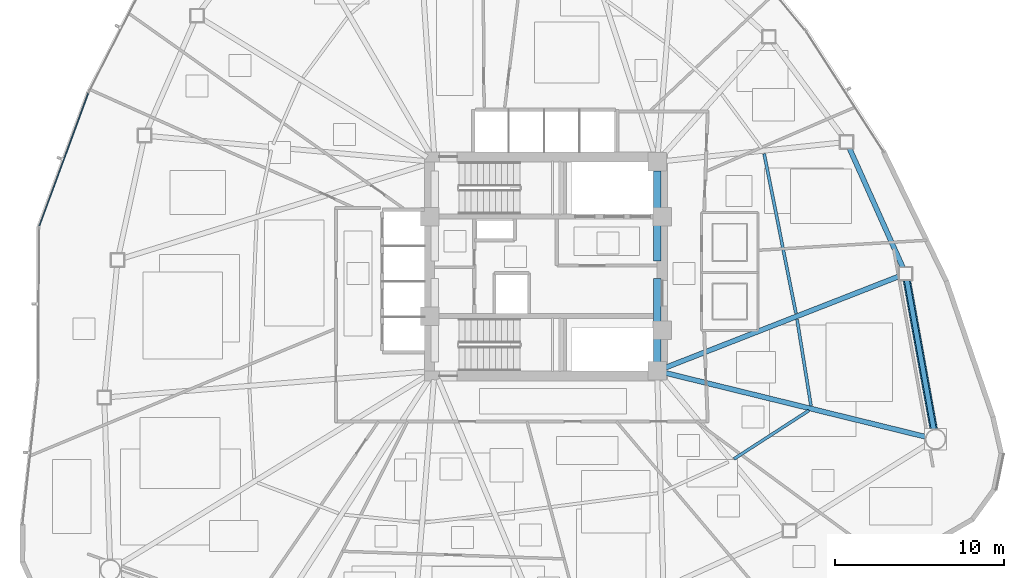
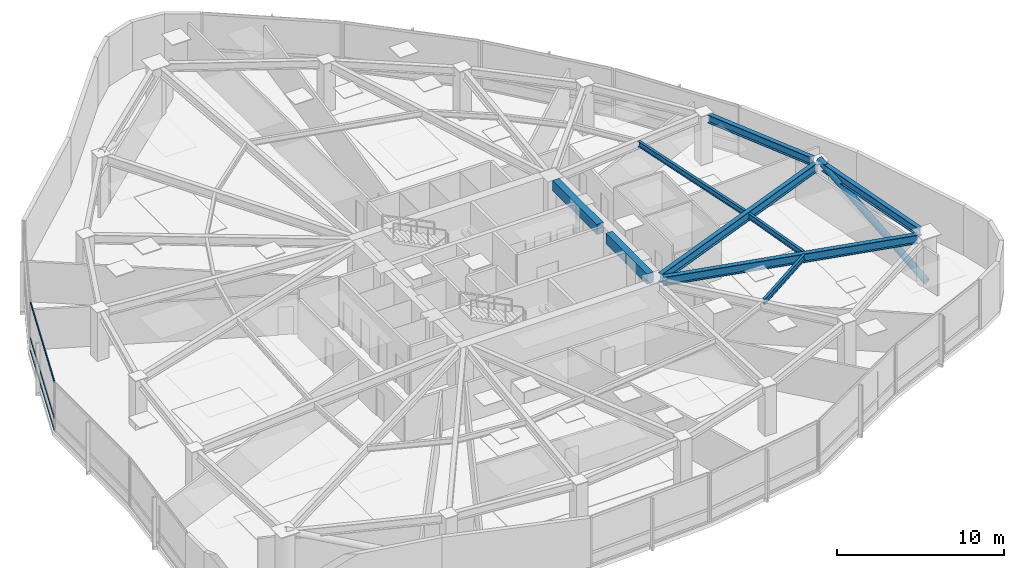
# One storey, part 7 of 18: 9 beams, 4 members, 1 element without a shape of its own.
"""IFC4 building model written with IfcOpenShell, lengths in metres."""

from ifc_helpers import new_model, si_unit, direction, frame, origin, origin_2d, place, context, subcontext, project, spatial, rectangle, hollow_rectangle, hollow_circle, i_section, extrude, source, transform, mapped, material, layer, layer_set, material_profile, profile_set, type_object, type_shapes, element, aggregate, save


model = new_model("IFC4")

# Units and contexts
model_context = context("Model", 3, precision=1e-05, world=origin(), true_north=direction((0.0, 1.0)))
body_context = subcontext(model_context, "Body", "Model", "MODEL_VIEW")
ifc_project = project(units=[si_unit("LENGTHUNIT", "METRE"), si_unit("AREAUNIT", "SQUARE_METRE"), si_unit("VOLUMEUNIT", "CUBIC_METRE"), si_unit("PLANEANGLEUNIT", "RADIAN"), si_unit("MASSUNIT", "GRAM", prefix="KILO")], contexts=[model_context])

# Site, building, storey
site_placement = place(None, origin())
site = spatial("IfcSite", under=ifc_project, at=site_placement, CompositionType="ELEMENT")
building_placement = place(site_placement, origin())
building = spatial("IfcBuilding", under=site, at=building_placement, Name="Tavelor Broadcast Tower", CompositionType="ELEMENT")
storey_placement = place(building_placement, frame((0.0, 0.0, 51.0)))
storey = spatial("IfcBuildingStorey", under=building, at=storey_placement, Name="L11", CompositionType="ELEMENT", Elevation=51.0)

# Beams
ifc_material_1 = material(Name="Concrete C40/50", Category="concrete")
ifc_material_profile_1 = material_profile(ifc_material_1, rectangle(XDim=0.449951171875, YDim=0.75, at=origin_2d()), Name="RC 450x750")
ifc_profile_set_1 = profile_set([ifc_material_profile_1], Name="Concrete C40/50")
beam_type_1 = type_object("IfcBeamType", Name="Basement Core Trim Beam 450x750", PredefinedType="BEAM", material=ifc_profile_set_1)
beam_1_placement = place(storey_placement, frame((56.60009765625, 45.327880859375, 3.22509765625), z_axis=(0.0, 1.0, 0.0), x_axis=(-1.0, 0.0, 0.0)))
element("IfcBeam", 1, at=beam_1_placement, inside=storey, type_object=beam_type_1, Name="L11 Core East-N Tie Girder", PredefinedType="BEAM", context=body_context, shape_type="SweptSolid", body=[
    extrude(rectangle(XDim=0.449951171875, YDim=0.75, at=origin_2d()), origin(), (0.0, 0.0, 1.0), 5.34423828125),
])
beam_2_placement = place(storey_placement, frame((56.60009765625, 39.327880859375, 3.22509765625), z_axis=(0.0, 1.0, 0.0), x_axis=(-1.0, 0.0, 0.0)))
element("IfcBeam", 2, at=beam_2_placement, inside=storey, type_object=beam_type_1, Name="L11 Core East-S Tie Girder", PredefinedType="BEAM", context=body_context, shape_type="SweptSolid", body=[
    extrude(rectangle(XDim=0.449951171875, YDim=0.75, at=origin_2d()), origin(), (0.0, 0.0, 1.0), 4.944091796875),
])
ifc_material_2 = material(Name="Steel S355", Category="steel")
ifc_material_profile_2 = material_profile(ifc_material_2, i_section(OverallWidth=0.179931640625, OverallDepth=0.39990234375, WebThickness=0.008544921875, FlangeThickness=0.013427734375, at=origin_2d()), Name="IPE 400")
ifc_profile_set_2 = profile_set([ifc_material_profile_2], Name="Steel S355")
beam_type_2 = type_object("IfcBeamType", Name="Composite Floor Joist T1 IPE 400", PredefinedType="JOIST", material=ifc_profile_set_2)
beam_3_placement = place(storey_placement, frame((61.1552734375, 33.573486328125, 3.39990234375), z_axis=(0.839582514508, 0.543232179949, 0.0), x_axis=(-0.543232179949, 0.839582514508, 0.0)))
element("IfcBeam", 3, at=beam_3_placement, inside=storey, type_object=beam_type_2, Name="L11 Secondary Composite Floor Joist 12", PredefinedType="JOIST", context=body_context, shape_type="SweptSolid", body=[
    extrude(i_section(OverallWidth=0.179931640625, OverallDepth=0.39990234375, WebThickness=0.008544921875, FlangeThickness=0.013427734375, at=origin_2d()), origin(), (0.0, 0.0, 1.0), 5.300537109375),
])
beam_4_placement = place(storey_placement, frame((65.728515625, 36.72998046875, 3.39990234375), z_axis=(-0.159264963379, 0.987235874267, 0.0), x_axis=(-0.987235874267, -0.159264963379, 0.0)))
element("IfcBeam", 4, at=beam_4_placement, inside=storey, type_object=beam_type_2, Name="L11 Secondary Composite Floor Joist 13", PredefinedType="JOIST", context=body_context, shape_type="SweptSolid", body=[
    extrude(i_section(OverallWidth=0.179931640625, OverallDepth=0.39990234375, WebThickness=0.008544921875, FlangeThickness=0.013427734375, at=origin_2d()), origin(), (0.0, 0.0, 1.0), 5.19189453125),
])
beam_5_placement = place(storey_placement, frame((64.83740234375, 42.2119140625, 3.39990234375), z_axis=(-0.195615567929, 0.980680656271, 0.0), x_axis=(-0.980680656271, -0.195615567929, 0.0)))
element("IfcBeam", 5, at=beam_5_placement, inside=storey, type_object=beam_type_2, Name="L11 Secondary Composite Floor Joist 14", PredefinedType="JOIST", context=body_context, shape_type="SweptSolid", body=[
    extrude(i_section(OverallWidth=0.179931640625, OverallDepth=0.39990234375, WebThickness=0.008544921875, FlangeThickness=0.013427734375, at=origin_2d()), origin(), (0.0, 0.0, 1.0), 9.661376953125),
])
ifc_material_profile_3 = material_profile(ifc_material_2, i_section(OverallWidth=0.300048828125, OverallDepth=0.60009765625, WebThickness=0.015380859375, FlangeThickness=0.030029296875, at=origin_2d()), Name="HEB 600")
ifc_profile_set_3 = profile_set([ifc_material_profile_3], Name="Steel S355")
beam_type_3 = type_object("IfcBeamType", Name="Perimeter Spandrel Beam T1 HEB 600", PredefinedType="SPANDREL", material=ifc_profile_set_3)
beam_6_placement = place(storey_placement, frame((73.013916015625, 35.31982421875, 3.300048828125), z_axis=(-0.177745578839, 0.984076475282, 0.0), x_axis=(-0.984076475282, -0.177745578839, 0.0)))
element("IfcBeam", 6, at=beam_6_placement, inside=storey, type_object=beam_type_3, Name="L11 Framed-Tube Ring Spandrel 13", PredefinedType="SPANDREL", context=body_context, shape_type="SweptSolid", body=[
    extrude(i_section(OverallWidth=0.300048828125, OverallDepth=0.60009765625, WebThickness=0.015380859375, FlangeThickness=0.030029296875, at=origin_2d()), origin(), (0.0, 0.0, 1.0), 9.010498046875),
])
beam_7_placement = place(storey_placement, frame((71.18701171875, 44.9150390625, 3.300048828125), z_axis=(-0.40892197507, 0.912569349861, 0.0), x_axis=(-0.912569349861, -0.40892197507, 0.0)))
element("IfcBeam", 7, at=beam_7_placement, inside=storey, type_object=beam_type_3, Name="L11 Framed-Tube Ring Spandrel 14", PredefinedType="SPANDREL", context=body_context, shape_type="SweptSolid", body=[
    extrude(i_section(OverallWidth=0.300048828125, OverallDepth=0.60009765625, WebThickness=0.015380859375, FlangeThickness=0.030029296875, at=origin_2d()), origin(), (0.0, 0.0, 1.0), 7.799072265625),
])

# Member
ifc_material_profile_4 = material_profile(ifc_material_2, hollow_circle(Radius=0.228515625, WallThickness=0.02001953125, at=origin_2d()), Name="CHS 457x20")
ifc_profile_set_4 = profile_set([ifc_material_profile_4], Name="Steel S355")
member_type_1 = type_object("IfcMemberType", Name="Perimeter Tube Brace T1 CHS 457x20", PredefinedType="BRACE", material=ifc_profile_set_4)
member_1_placement = place(storey_placement, frame((73.117919921875, 34.743896484375, 0.0), z_axis=(-0.167205980675, 0.925685078259, 0.339336552578), x_axis=(-0.984075144607, -0.177752945874, 0.0)))
element("IfcMember", 8, at=member_1_placement, inside=storey, type_object=member_type_1, Name="L11 Corner Tube Diagonal Brace 3", PredefinedType="BRACE", context=body_context, shape_type="SweptSolid", body=[
    extrude(hollow_circle(Radius=0.228515625, WallThickness=0.02001953125, at=origin_2d()), origin(), (0.0, 0.0, 1.0), 10.609130859375),
])

# Beams
ifc_material_profile_5 = material_profile(ifc_material_2, i_section(OverallWidth=0.300048828125, OverallDepth=0.64990234375, WebThickness=0.01611328125, FlangeThickness=0.031005859375, at=origin_2d()), Name="HEB 650")
ifc_profile_set_5 = profile_set([ifc_material_profile_5], Name="Steel S355")
beam_type_4 = type_object("IfcBeamType", Name="Radial Floor Girder T1 HEB 650", PredefinedType="BEAM", material=ifc_profile_set_5)
beam_8_placement = place(storey_placement, frame((57.11279296875, 38.674072265625, 3.27490234375), z_axis=(0.971150402203, -0.23846780978, 0.0), x_axis=(0.23846780978, 0.971150402203, 0.0)))
element("IfcBeam", 9, at=beam_8_placement, inside=storey, type_object=beam_type_4, Name="L11 Radial Primary Floor Girder 13", PredefinedType="BEAM", context=body_context, shape_type="SweptSolid", body=[
    extrude(i_section(OverallWidth=0.300048828125, OverallDepth=0.64990234375, WebThickness=0.01611328125, FlangeThickness=0.031005859375, at=origin_2d()), origin(), (0.0, 0.0, 1.0), 15.895263671875),
])
beam_9_placement = place(storey_placement, frame((57.091796875, 38.9921875, 3.27490234375), z_axis=(0.931344390249, 0.364139570429, 0.0), x_axis=(-0.364139570429, 0.931344390249, 0.0)))
element("IfcBeam", 10, at=beam_9_placement, inside=storey, type_object=beam_type_4, Name="L11 Radial Primary Floor Girder 14", PredefinedType="BEAM", context=body_context, shape_type="SweptSolid", body=[
    extrude(i_section(OverallWidth=0.300048828125, OverallDepth=0.64990234375, WebThickness=0.01611328125, FlangeThickness=0.031005859375, at=origin_2d()), origin(), (0.0, 0.0, 1.0), 14.9189453125),
])

# Curtain wall, members
ifc_material_3 = material(Name="Architectural Anodized Aluminium", Category="aluminium")
ifc_layer = layer(ifc_material_3, 0.179931640625)
ifc_layer_set = layer_set([ifc_layer], Name="Architectural Anodized Aluminium")
curtain_wall_type = type_object("IfcCurtainWallType", Name="Tower Low-Zone Unitised Curtain Wall CW02", PredefinedType="NOTDEFINED", material=ifc_layer_set)
curtain_wall_placement = place(storey_placement, origin())
curtain_wall = element("IfcCurtainWall", 11, at=curtain_wall_placement, inside=storey, type_object=curtain_wall_type, Name="L11 Curtain Wall CW02 Run 86", PredefinedType="NOTDEFINED")
ifc_material_profile_6 = material_profile(ifc_material_3, hollow_rectangle(XDim=0.06494140625, YDim=0.179931640625, WallThickness=0.02197265625, at=origin_2d()), Name="RHS 65x180x22")
ifc_profile_set_6 = profile_set([ifc_material_profile_6], Name="Architectural Anodized Aluminium")
member_type_2 = type_object("IfcMemberType", Name="CW02 Extruded Aluminium Transom 65x180", PredefinedType="USERDEFINED", material=ifc_profile_set_6)
shared_shape = source(origin(), body_context, "Body", "SweptSolid", [
    extrude(hollow_rectangle(XDim=0.06494140625, YDim=0.179931640625, WallThickness=0.02197265625, at=origin_2d()), origin(), (0.0, 0.0, 1.0), 8.357177734375),
])
type_shapes(member_type_2, [shared_shape])
member_2_placement = place(storey_placement, frame((22.84423828125, 55.2529296875, 0.032470703125), z_axis=(-0.345678283153, -0.938353091622, 0.0), x_axis=(0.938353091622, -0.345678283153, 0.0)))
member_2 = element("IfcMember", 12, at=member_2_placement, type_object=member_type_2, Name="CW02 transom 1.1", ObjectType="TRANSOM", PredefinedType="USERDEFINED", context=body_context, shape_type="MappedRepresentation", body=[
    mapped(shared_shape, transform((0.0, 0.0, 0.0), scale=1.0)),
])
member_3_placement = place(storey_placement, frame((22.84423828125, 55.2529296875, 0.949951171875), z_axis=(-0.345678283153, -0.938353091622, 0.0), x_axis=(0.938353091622, -0.345678283153, 0.0)))
member_3 = element("IfcMember", 13, at=member_3_placement, type_object=member_type_2, Name="CW02 transom 1.2", ObjectType="TRANSOM", PredefinedType="USERDEFINED", context=body_context, shape_type="MappedRepresentation", body=[
    mapped(shared_shape, transform((0.0, 0.0, 0.0), scale=1.0)),
])
member_4_placement = place(storey_placement, frame((22.84423828125, 55.2529296875, 3.5673828125), z_axis=(-0.345678283153, -0.938353091622, 0.0), x_axis=(0.938353091622, -0.345678283153, 0.0)))
member_4 = element("IfcMember", 14, at=member_4_placement, type_object=member_type_2, Name="CW02 transom 1.3", ObjectType="TRANSOM", PredefinedType="USERDEFINED", context=body_context, shape_type="MappedRepresentation", body=[
    mapped(shared_shape, transform((0.0, 0.0, 0.0), scale=1.0)),
])
aggregate(curtain_wall, [member_2, member_3, member_4])

save(model, "model.ifc")
